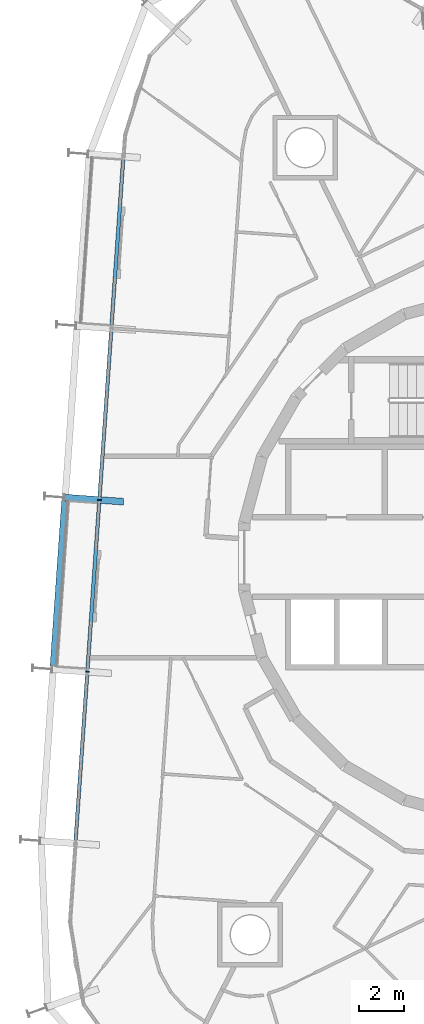
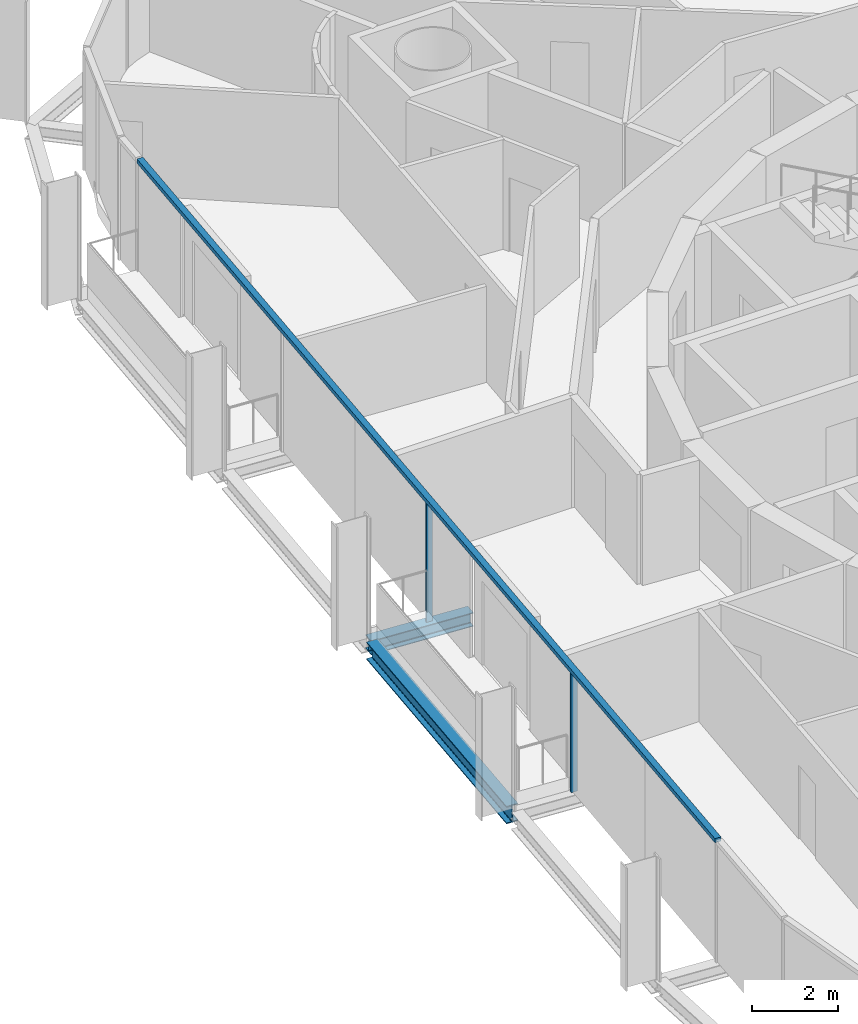
# One storey, part 4 of 17: 3 members, 2 beams, 1 element without a shape of its own.
"""IFC4 building model written with IfcOpenShell, lengths in metres."""

from ifc_helpers import new_model, si_unit, direction, frame, origin, origin_2d, place, context, subcontext, project, spatial, rectangle, i_section, extrude, material, layer, layer_set, material_profile, profile_set, type_object, element, aggregate, save


model = new_model("IFC4")

# Units and contexts
model_context = context("Model", 3, precision=1e-05, world=origin(), true_north=direction((0.0, 1.0)))
body_context = subcontext(model_context, "Body", "Model", "MODEL_VIEW")
ifc_project = project(units=[si_unit("LENGTHUNIT", "METRE"), si_unit("AREAUNIT", "SQUARE_METRE"), si_unit("VOLUMEUNIT", "CUBIC_METRE"), si_unit("PLANEANGLEUNIT", "RADIAN"), si_unit("MASSUNIT", "GRAM", prefix="KILO")], contexts=[model_context])

# Site, building, storey
site_placement = place(None, origin())
site = spatial("IfcSite", under=ifc_project, at=site_placement, CompositionType="ELEMENT")
building_placement = place(site_placement, origin())
building = spatial("IfcBuilding", under=site, at=building_placement, Name="Spindle Arch Residences", CompositionType="ELEMENT")
storey_placement = place(building_placement, frame((0.0, 0.0, 209.39990234375)))
storey = spatial("IfcBuildingStorey", under=building, at=storey_placement, Name="L53", CompositionType="ELEMENT", Elevation=209.39990234375)

# Curtain wall, members
ifc_material_1 = material(Name="Aluminium bronze unitised frame with tinted glass", Category="aluminium")
ifc_layer = layer(ifc_material_1, 0.159912109375)
ifc_layer_set = layer_set([ifc_layer], Name="CW-C typical residential unitised wall")
curtain_wall_type = type_object("IfcCurtainWallType", Name="CW-C typical residential unitised wall", PredefinedType="NOTDEFINED", material=ifc_layer_set)
curtain_wall_placement = place(storey_placement, origin())
curtain_wall = element("IfcCurtainWall", 1, at=curtain_wall_placement, inside=storey, type_object=curtain_wall_type, Name="CW-C L53 run 4", PredefinedType="NOTDEFINED")
ifc_material_2 = material(Name="Aluminium bronze anodised mullion", Category="aluminium")
ifc_material_profile_1 = material_profile(ifc_material_2, rectangle(XDim=0.159912109375, YDim=0.06005859375, at=origin_2d()), Name="MU 60x160")
ifc_profile_set_1 = profile_set([ifc_material_profile_1], Name="Aluminium bronze anodised mullion")
member_type_1 = type_object("IfcMemberType", Name="Bronze mullion 60x160", PredefinedType="MULLION", material=ifc_profile_set_1)
member_1_placement = place(storey_placement, frame((-18.126708984375, 2.552978515625, -0.3798828125), z_axis=(0.0, 0.0, 1.0), x_axis=(0.99756405026, -0.069756473744, 0.0)))
member_1 = element("IfcMember", 2, at=member_1_placement, type_object=member_type_1, Name="CW-C mullion 14", PredefinedType="MULLION", context=body_context, shape_type="SweptSolid", body=[
    extrude(rectangle(XDim=0.159912109375, YDim=0.06005859375, at=origin_2d()), origin(), (0.0, 0.0, 1.0), 3.3798828125),
])
member_2_placement = place(storey_placement, frame((-18.66357421875, -5.1220703125, -0.3798828125), z_axis=(0.0, 0.0, 1.0), x_axis=(0.99756405026, -0.069756473744, 0.0)))
member_2 = element("IfcMember", 3, at=member_2_placement, type_object=member_type_1, Name="CW-C mullion 15", PredefinedType="MULLION", context=body_context, shape_type="SweptSolid", body=[
    extrude(rectangle(XDim=0.159912109375, YDim=0.06005859375, at=origin_2d()), origin(), (0.0, 0.0, 1.0), 3.3798828125),
])
ifc_material_3 = material(Name="Aluminium bronze anodised transom", Category="aluminium")
ifc_material_profile_2 = material_profile(ifc_material_3, rectangle(XDim=0.159912109375, YDim=0.1201171875, at=origin_2d()), Name="TR 120x160")
ifc_profile_set_2 = profile_set([ifc_material_profile_2], Name="Aluminium bronze anodised transom")
member_type_2 = type_object("IfcMemberType", Name="Bronze transom 120x160", PredefinedType="USERDEFINED", material=ifc_profile_set_2)
member_3_placement = place(storey_placement, frame((-17.0556640625, 17.873046875, 3.06005859375), z_axis=(-0.069748921728, -0.997564578319, 0.0), x_axis=(0.997564578319, -0.069748921728, 0.0)))
member_3 = element("IfcMember", 4, at=member_3_placement, type_object=member_type_2, Name="CW-C transom 00", ObjectType="TRANSOM", PredefinedType="USERDEFINED", context=body_context, shape_type="SweptSolid", body=[
    extrude(rectangle(XDim=0.159912109375, YDim=0.1201171875, at=origin_2d()), origin(), (0.0, 0.0, 1.0), 30.71484375),
])
aggregate(curtain_wall, [member_3, member_1, member_2])

# Beams
ifc_material_4 = material(Name="Steel S460ML, intumescent coating R 120", Category="steel")
ifc_material_profile_3 = material_profile(ifc_material_4, i_section(OverallWidth=0.300048828125, OverallDepth=0.5, WebThickness=0.014404296875, FlangeThickness=0.028076171875, FilletRadius=0.027099609375, at=origin_2d()), Name="HEB 500")
ifc_profile_set_3 = profile_set([ifc_material_profile_3], Name="Steel S460ML, intumescent coating R 120")
beam_type_1 = type_object("IfcBeamType", Name="Exoskeleton edge beam HEB 500", PredefinedType="BEAM", material=ifc_profile_set_3)
beam_1_placement = place(storey_placement, frame((-19.662109375, 2.530029296875, -0.6298828125), z_axis=(-0.069757879566, -0.997563951954, 0.0), x_axis=(0.997563951954, -0.069757879566, 0.0)))
element("IfcBeam", 5, at=beam_1_placement, inside=storey, type_object=beam_type_1, Name="Exoskeleton edge beam 15", PredefinedType="BEAM", context=body_context, shape_type="SweptSolid", body=[
    extrude(i_section(OverallWidth=0.300048828125, OverallDepth=0.5, WebThickness=0.014404296875, FlangeThickness=0.028076171875, FilletRadius=0.027099609375, at=origin_2d()), origin(), (0.0, 0.0, 1.0), 7.43359375),
])
ifc_material_5 = material(Name="Steel S460ML, intumescent coating R 120", Category="steel")
ifc_material_profile_4 = material_profile(ifc_material_5, i_section(OverallWidth=0.300048828125, OverallDepth=0.389892578125, WebThickness=0.010986328125, FlangeThickness=0.01904296875, FilletRadius=0.027099609375, at=origin_2d()), Name="HEA 400")
ifc_profile_set_4 = profile_set([ifc_material_profile_4], Name="Steel S460ML, intumescent coating R 120")
beam_type_2 = type_object("IfcBeamType", Name="Floor outrigger HEA 400", PredefinedType="BEAM", material=ifc_profile_set_4)
beam_2_placement = place(storey_placement, frame((-19.693115234375, 2.66259765625, -0.574951171875), z_axis=(0.997565124092, -0.069741115528, 0.0), x_axis=(0.069741115528, 0.997565124092, 0.0)))
element("IfcBeam", 6, at=beam_2_placement, inside=storey, type_object=beam_type_2, Name="Floor outrigger 15", PredefinedType="BEAM", context=body_context, shape_type="SweptSolid", body=[
    extrude(i_section(OverallWidth=0.300048828125, OverallDepth=0.389892578125, WebThickness=0.010986328125, FlangeThickness=0.01904296875, FilletRadius=0.027099609375, at=origin_2d()), origin(), (0.0, 0.0, 1.0), 2.64990234375),
])

save(model, "model.ifc")
